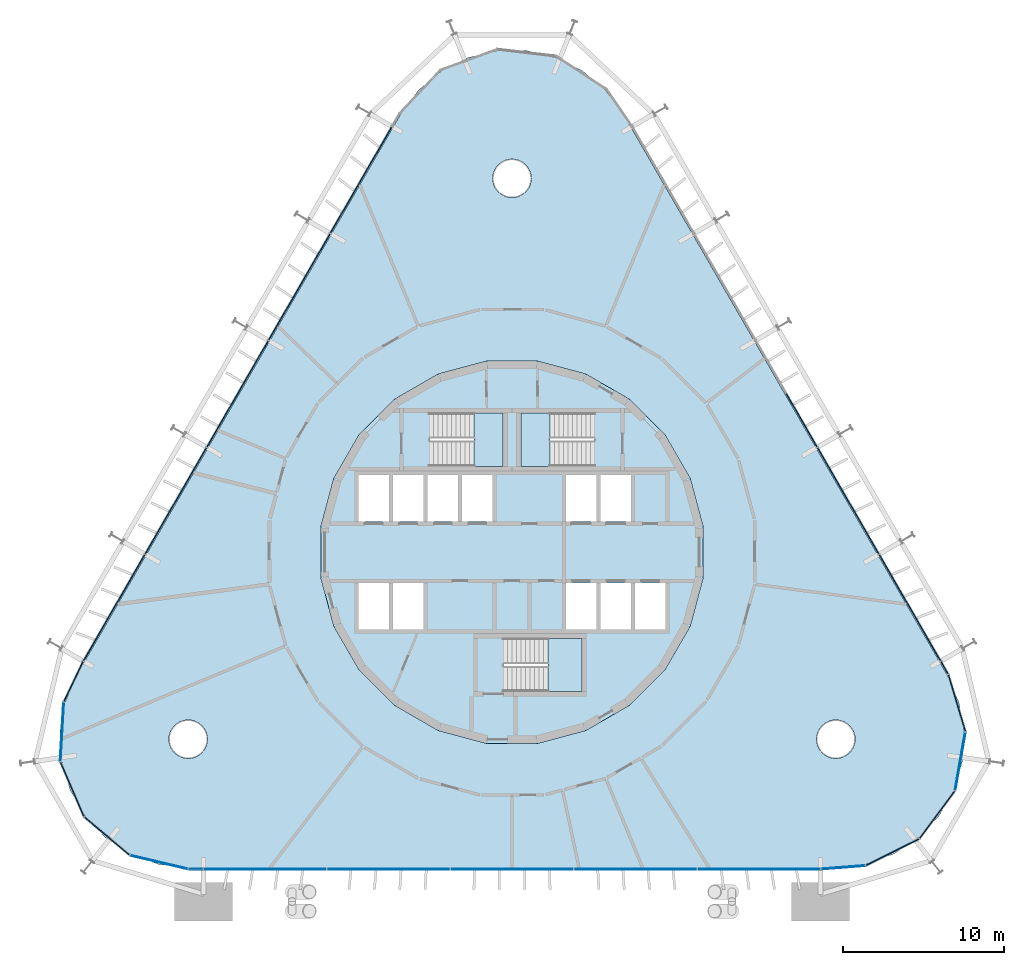
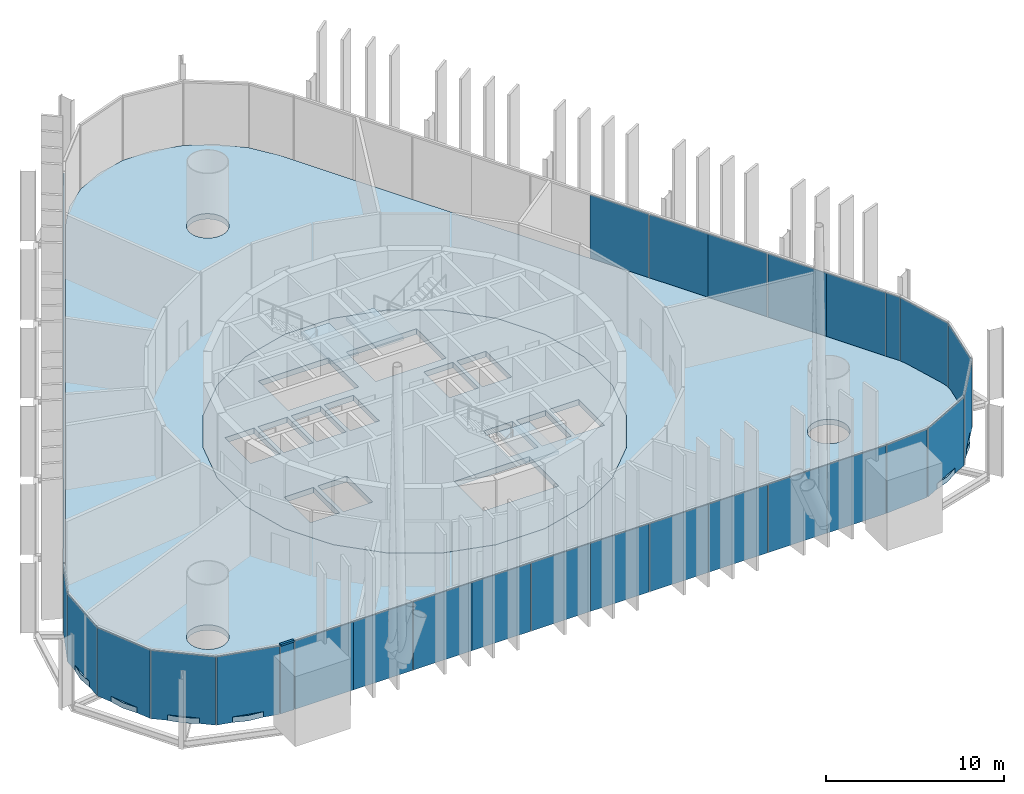
# One storey, part 13 of 18: 37 plates, 5 slabs, 1 member, 8 elements without a shape of their own.
"""IFC4 building model written with IfcOpenShell, lengths in metres."""

from ifc_helpers import new_model, si_unit, direction, frame, origin, origin_2d, place, context, subcontext, project, spatial, polyline, rectangle, outline, extrude, material, layer, layer_set, material_profile, profile_set, type_object, element, aggregate, save


model = new_model("IFC4")

# Units and contexts
model_context = context("Model", 3, precision=1e-05, world=origin(), true_north=direction((0.0, 1.0)))
body_context = subcontext(model_context, "Body", "Model", "MODEL_VIEW")
ifc_project = project(units=[si_unit("LENGTHUNIT", "METRE"), si_unit("AREAUNIT", "SQUARE_METRE"), si_unit("VOLUMEUNIT", "CUBIC_METRE"), si_unit("PLANEANGLEUNIT", "RADIAN"), si_unit("MASSUNIT", "GRAM", prefix="KILO")], contexts=[model_context])

# Site, building, storey
site_placement = place(None, origin())
site = spatial("IfcSite", under=ifc_project, at=site_placement, CompositionType="ELEMENT")
building_placement = place(site_placement, origin())
building = spatial("IfcBuilding", under=site, at=building_placement, Name="Spindle Arch Residences", CompositionType="ELEMENT")
storey_placement = place(building_placement, frame((0.0, 0.0, 9.0)))
storey = spatial("IfcBuildingStorey", under=building, at=storey_placement, Name="L01", CompositionType="ELEMENT", Elevation=9.0)

# Curtain wall, member
ifc_material_1 = material(Name="Aluminium bronze unitised frame with tinted glass", Category="aluminium")
ifc_layer_1 = layer(ifc_material_1, 0.159912109375)
ifc_layer_set_1 = layer_set([ifc_layer_1], Name="CW-D corner wall on the fillet arcs")
curtain_wall_type_1 = type_object("IfcCurtainWallType", Name="CW-D corner wall on the fillet arcs", PredefinedType="NOTDEFINED", material=ifc_layer_set_1)
curtain_wall_1_placement = place(storey_placement, origin())
curtain_wall_1 = element("IfcCurtainWall", 1, at=curtain_wall_1_placement, inside=storey, type_object=curtain_wall_type_1, Name="CW-D L01 run 5", PredefinedType="NOTDEFINED")
ifc_material_2 = material(Name="Aluminium bronze anodised transom", Category="aluminium")
ifc_material_profile = material_profile(ifc_material_2, rectangle(XDim=0.159912109375, YDim=0.1201171875, at=origin_2d()), Name="TR 120x160")
ifc_profile_set = profile_set([ifc_material_profile], Name="Aluminium bronze anodised transom")
member_type = type_object("IfcMemberType", Name="Bronze transom 120x160", PredefinedType="USERDEFINED", material=ifc_profile_set)
member_placement = place(storey_placement, frame((-20.113525390625, -19.7099609375, 4.360107421875), z_axis=(1.0, 0.0, 0.0), x_axis=(0.0, 1.0, 0.0)))
member = element("IfcMember", 2, at=member_placement, type_object=member_type, Name="CW-D transom 05", ObjectType="TRANSOM", PredefinedType="USERDEFINED", context=body_context, shape_type="SweptSolid", body=[
    extrude(rectangle(XDim=0.159912109375, YDim=0.1201171875, at=origin_2d()), origin(), (0.0, 0.0, 1.0), 0.88330078125),
])

# Slab
ifc_material_3 = material(Name="Concrete C50/60", Category="concrete")
ifc_layer_2 = layer(ifc_material_3, 0.3798828125)
ifc_layer_set_2 = layer_set([ifc_layer_2], Name="Core floor slab 380")
slab_type_1 = type_object("IfcSlabType", Name="Core floor slab 380", PredefinedType="FLOOR", material=ifc_layer_set_2)
slab_1_placement = place(storey_placement, frame((0.0, 0.0, -0.3798828125)))
element("IfcSlab", 3, at=slab_1_placement, inside=storey, type_object=slab_type_1, Name="Core floor L01", PredefinedType="FLOOR", context=body_context, shape_type="SweptSolid", body=[
    extrude(outline(polyline([(1.56640625, -11.897216796875), (4.59228515625, -11.086669921875), (7.30517578125, -9.520263671875), (9.520263671875, -7.30517578125), (11.086669921875, -4.59228515625), (11.897216796875, -1.56640625), (11.897216796875, 1.56640625), (11.086669921875, 4.59228515625), (9.520263671875, 7.30517578125), (7.30517578125, 9.520263671875), (4.59228515625, 11.086669921875), (1.56640625, 11.897216796875), (-1.56640625, 11.897216796875), (-4.59228515625, 11.086669921875), (-7.30517578125, 9.520263671875), (-9.520263671875, 7.30517578125), (-11.086669921875, 4.59228515625), (-11.897216796875, 1.56640625), (-11.897216796875, -1.56640625), (-11.086669921875, -4.59228515625), (-9.520263671875, -7.30517578125), (-7.30517578125, -9.520263671875), (-4.59228515625, -11.086669921875), (-1.56640625, -11.897216796875), (1.56640625, -11.897216796875)]), holes=[polyline([(-9.550048828125, 1.89990234375), (-7.64990234375, 1.89990234375), (-7.64990234375, 4.800048828125), (-9.550048828125, 4.800048828125), (-9.550048828125, 1.89990234375)]), polyline([(-7.39990234375, 1.89990234375), (-5.5, 1.89990234375), (-5.5, 4.800048828125), (-7.39990234375, 4.800048828125), (-7.39990234375, 1.89990234375)]), polyline([(-5.25, 1.89990234375), (-3.35009765625, 1.89990234375), (-3.35009765625, 4.800048828125), (-5.25, 4.800048828125), (-5.25, 1.89990234375)]), polyline([(-3.10009765625, 1.89990234375), (-1.199951171875, 1.89990234375), (-1.199951171875, 4.800048828125), (-3.10009765625, 4.800048828125), (-3.10009765625, 1.89990234375)]), polyline([(3.35009765625, 1.89990234375), (5.25, 1.89990234375), (5.25, 4.800048828125), (3.35009765625, 4.800048828125), (3.35009765625, 1.89990234375)]), polyline([(5.5, 1.89990234375), (7.39990234375, 1.89990234375), (7.39990234375, 4.800048828125), (5.5, 4.800048828125), (5.5, 1.89990234375)]), polyline([(-9.550048828125, -4.800048828125), (-7.64990234375, -4.800048828125), (-7.64990234375, -1.89990234375), (-9.550048828125, -1.89990234375), (-9.550048828125, -4.800048828125)]), polyline([(-7.39990234375, -4.800048828125), (-5.5, -4.800048828125), (-5.5, -1.89990234375), (-7.39990234375, -1.89990234375), (-7.39990234375, -4.800048828125)]), polyline([(3.35009765625, -4.800048828125), (5.25, -4.800048828125), (5.25, -1.89990234375), (3.35009765625, -1.89990234375), (3.35009765625, -4.800048828125)]), polyline([(5.5, -4.800048828125), (7.39990234375, -4.800048828125), (7.39990234375, -1.89990234375), (5.5, -1.89990234375), (5.5, -4.800048828125)]), polyline([(7.64990234375, -4.800048828125), (9.550048828125, -4.800048828125), (9.550048828125, -1.89990234375), (7.64990234375, -1.89990234375), (7.64990234375, -4.800048828125)]), polyline([(5.1298828125, 8.669921875), (0.550048828125, 8.669921875), (0.550048828125, 5.35009765625), (5.1298828125, 5.35009765625), (5.1298828125, 8.669921875)]), polyline([(-5.1298828125, 5.35009765625), (-0.550048828125, 5.35009765625), (-0.550048828125, 8.669921875), (-5.1298828125, 8.669921875), (-5.1298828125, 5.35009765625)]), polyline([(-0.530029296875, -8.669921875), (4.35009765625, -8.669921875), (4.35009765625, -5.35009765625), (-0.530029296875, -5.35009765625), (-0.530029296875, -8.669921875)])]), origin(), (0.0, 0.0, 1.0), 0.3798828125),
])

# Stair, slab
ifc_material_4 = material(Name="Concrete C50/60", Category="concrete")
stair_type = type_object("IfcStairType", Name="Exit stair 22 risers", PredefinedType="HALF_TURN_STAIR", material=ifc_material_4)
stair_1_placement = place(storey_placement, origin())
stair_1 = element("IfcStair", 4, at=stair_1_placement, inside=storey, type_object=stair_type, Name="L01 Exit stair ST1", PredefinedType="HALF_TURN_STAIR")
ifc_material_5 = material(Name="Concrete C50/60", Category="concrete")
ifc_layer_3 = layer(ifc_material_5, 0.219970703125)
ifc_layer_set_3 = layer_set([ifc_layer_3], Name="Exit stair landing 220")
slab_type_2 = type_object("IfcSlabType", Name="Exit stair landing 220", PredefinedType="LANDING", material=ifc_layer_set_3)
slab_2_placement = place(storey_placement, frame((0.0, 0.0, 2.179931640625)))
slab_2 = element("IfcSlab", 5, at=slab_2_placement, type_object=slab_type_2, Name="ST1 landing 1", PredefinedType="LANDING", context=body_context, shape_type="SweptSolid", body=[
    extrude(outline(polyline([(2.3701171875, 8.669921875), (0.550048828125, 8.669921875), (0.550048828125, 5.35009765625), (2.3701171875, 5.35009765625), (2.3701171875, 8.669921875)])), origin(), (0.0, 0.0, 1.0), 0.219970703125),
])
aggregate(stair_1, [slab_2])

stair_2_placement = place(storey_placement, origin())
stair_2 = element("IfcStair", 6, at=stair_2_placement, inside=storey, type_object=stair_type, Name="L01 Exit stair ST2", PredefinedType="HALF_TURN_STAIR")
slab_3_placement = place(storey_placement, frame((0.0, 0.0, 2.179931640625)))
slab_3 = element("IfcSlab", 7, at=slab_3_placement, type_object=slab_type_2, Name="ST2 landing 1", PredefinedType="LANDING", context=body_context, shape_type="SweptSolid", body=[
    extrude(outline(polyline([(-2.3701171875, 5.35009765625), (-0.550048828125, 5.35009765625), (-0.550048828125, 8.669921875), (-2.3701171875, 8.669921875), (-2.3701171875, 5.35009765625)])), origin(), (0.0, 0.0, 1.0), 0.219970703125),
])
aggregate(stair_2, [slab_3])

stair_3_placement = place(storey_placement, origin())
stair_3 = element("IfcStair", 8, at=stair_3_placement, inside=storey, type_object=stair_type, Name="L01 Exit stair ST3", PredefinedType="HALF_TURN_STAIR")
slab_4_placement = place(storey_placement, frame((0.0, 0.0, 2.179931640625)))
slab_4 = element("IfcSlab", 9, at=slab_4_placement, type_object=slab_type_2, Name="ST3 landing 1", PredefinedType="LANDING", context=body_context, shape_type="SweptSolid", body=[
    extrude(outline(polyline([(2.22998046875, -8.669921875), (4.35009765625, -8.669921875), (4.35009765625, -5.35009765625), (2.22998046875, -5.35009765625), (2.22998046875, -8.669921875)])), origin(), (0.0, 0.0, 1.0), 0.219970703125),
])
aggregate(stair_3, [slab_4])

# Slab
ifc_material_6 = material(Name="Concrete C40/50", Category="concrete")
ifc_layer_4 = layer(ifc_material_6, 0.3798828125)
ifc_layer_set_4 = layer_set([ifc_layer_4], Name="Floor slab 380")
slab_type_3 = type_object("IfcSlabType", Name="Floor slab 380", PredefinedType="FLOOR", material=ifc_layer_set_4)
slab_5_placement = place(storey_placement, frame((0.0, 0.0, -0.3798828125)))
element("IfcSlab", 10, at=slab_5_placement, inside=storey, type_object=slab_type_3, Name="Floor slab L01", PredefinedType="FLOOR", context=body_context, shape_type="SweptSolid", body=[
    extrude(outline(polyline([(-21.988525390625, -19.414306640625), (-23.73388671875, -18.779052734375), (-25.285888671875, -17.75830078125), (-26.560546875, -16.4072265625), (-27.4892578125, -14.798583984375), (-28.022216796875, -13.01904296875), (-28.130126953125, -11.164794921875), (-27.8076171875, -9.33544921875), (-27.07177734375, -7.6298828125), (-6.92822265625, 27.259765625), (-5.819091796875, 28.749755859375), (-4.39599609375, 29.943603515625), (-2.736083984375, 30.77734375), (-0.9287109375, 31.205810546875), (0.9287109375, 31.205810546875), (2.736083984375, 30.77734375), (4.39599609375, 29.943603515625), (5.819091796875, 28.749755859375), (6.92822265625, 27.259765625), (27.07177734375, -7.6298828125), (27.8076171875, -9.33544921875), (28.130126953125, -11.164794921875), (28.022216796875, -13.01904296875), (27.4892578125, -14.798583984375), (26.560546875, -16.4072265625), (25.285888671875, -17.75830078125), (23.73388671875, -18.779052734375), (21.988525390625, -19.414306640625), (20.1435546875, -19.6298828125), (0.0, -19.6298828125), (-20.1435546875, -19.6298828125), (-21.988525390625, -19.414306640625)]), holes=[polyline([(7.30517578125, -9.520263671875), (9.520263671875, -7.30517578125), (11.086669921875, -4.59228515625), (11.897216796875, -1.56640625), (11.897216796875, 1.56640625), (11.086669921875, 4.59228515625), (9.520263671875, 7.30517578125), (7.30517578125, 9.520263671875), (4.59228515625, 11.086669921875), (1.56640625, 11.897216796875), (-1.56640625, 11.897216796875), (-4.59228515625, 11.086669921875), (-7.30517578125, 9.520263671875), (-9.520263671875, 7.30517578125), (-11.086669921875, 4.59228515625), (-11.897216796875, 1.56640625), (-11.897216796875, -1.56640625), (-11.086669921875, -4.59228515625), (-9.520263671875, -7.30517578125), (-7.30517578125, -9.520263671875), (-4.59228515625, -11.086669921875), (-1.56640625, -11.897216796875), (1.56640625, -11.897216796875), (4.59228515625, -11.086669921875), (7.30517578125, -9.520263671875)]), polyline([(-19.295166015625, -12.478515625), (-19.145751953125, -12.296630859375), (-19.034912109375, -12.089111328125), (-18.966796875, -11.864013671875), (-18.943603515625, -11.6298828125), (-18.966796875, -11.395751953125), (-19.034912109375, -11.170654296875), (-19.145751953125, -10.963134765625), (-19.295166015625, -10.781494140625), (-19.476806640625, -10.632080078125), (-19.684326171875, -10.521240234375), (-19.909423828125, -10.452880859375), (-20.1435546875, -10.429931640625), (-20.377685546875, -10.452880859375), (-20.602783203125, -10.521240234375), (-20.810302734375, -10.632080078125), (-20.9921875, -10.781494140625), (-21.141357421875, -10.963134765625), (-21.252197265625, -11.170654296875), (-21.320556640625, -11.395751953125), (-21.343505859375, -11.6298828125), (-21.320556640625, -11.864013671875), (-21.252197265625, -12.089111328125), (-21.141357421875, -12.296630859375), (-20.9921875, -12.478515625), (-20.810302734375, -12.627685546875), (-20.602783203125, -12.738525390625), (-20.377685546875, -12.806884765625), (-20.1435546875, -12.829833984375), (-19.909423828125, -12.806884765625), (-19.684326171875, -12.738525390625), (-19.476806640625, -12.627685546875), (-19.295166015625, -12.478515625)]), polyline([(0.848388671875, 22.411376953125), (0.997802734375, 22.593017578125), (1.108642578125, 22.800537109375), (1.177001953125, 23.025634765625), (1.199951171875, 23.259765625), (1.177001953125, 23.493896484375), (1.108642578125, 23.718994140625), (0.997802734375, 23.926513671875), (0.848388671875, 24.1083984375), (0.666748046875, 24.257568359375), (0.459228515625, 24.368408203125), (0.234130859375, 24.436767578125), (0.0, 24.459716796875), (-0.234130859375, 24.436767578125), (-0.459228515625, 24.368408203125), (-0.666748046875, 24.257568359375), (-0.848388671875, 24.1083984375), (-0.997802734375, 23.926513671875), (-1.108642578125, 23.718994140625), (-1.177001953125, 23.493896484375), (-1.199951171875, 23.259765625), (-1.177001953125, 23.025634765625), (-1.108642578125, 22.800537109375), (-0.997802734375, 22.593017578125), (-0.848388671875, 22.411376953125), (-0.666748046875, 22.261962890625), (-0.459228515625, 22.151123046875), (-0.234130859375, 22.0830078125), (0.0, 22.059814453125), (0.234130859375, 22.0830078125), (0.459228515625, 22.151123046875), (0.666748046875, 22.261962890625), (0.848388671875, 22.411376953125)]), polyline([(20.9921875, -12.478515625), (21.141357421875, -12.296630859375), (21.252197265625, -12.089111328125), (21.320556640625, -11.864013671875), (21.343505859375, -11.6298828125), (21.320556640625, -11.395751953125), (21.252197265625, -11.170654296875), (21.141357421875, -10.963134765625), (20.9921875, -10.781494140625), (20.810302734375, -10.632080078125), (20.602783203125, -10.521240234375), (20.377685546875, -10.452880859375), (20.1435546875, -10.429931640625), (19.909423828125, -10.452880859375), (19.684326171875, -10.521240234375), (19.476806640625, -10.632080078125), (19.295166015625, -10.781494140625), (19.145751953125, -10.963134765625), (19.034912109375, -11.170654296875), (18.966796875, -11.395751953125), (18.943603515625, -11.6298828125), (18.966796875, -11.864013671875), (19.034912109375, -12.089111328125), (19.145751953125, -12.296630859375), (19.295166015625, -12.478515625), (19.476806640625, -12.627685546875), (19.684326171875, -12.738525390625), (19.909423828125, -12.806884765625), (20.1435546875, -12.829833984375), (20.377685546875, -12.806884765625), (20.602783203125, -12.738525390625), (20.810302734375, -12.627685546875), (20.9921875, -12.478515625)])]), origin(), (0.0, 0.0, 1.0), 0.3798828125),
])

# Curtain wall, plates
curtain_wall_2_placement = place(storey_placement, origin())
curtain_wall_2 = element("IfcCurtainWall", 11, at=curtain_wall_2_placement, inside=storey, type_object=curtain_wall_type_1, Name="CW-D L01 run 1", PredefinedType="NOTDEFINED")
ifc_material_7 = material(Name="Tinted double glazing over aluminium faced non-combustible spandrel zone (K0)", Category="aluminium")
ifc_layer_5 = layer(ifc_material_7, 0.06005859375)
ifc_layer_set_5 = layer_set([ifc_layer_5], Name="Unitised glass panel with E 60 spandrel zone")
plate_type = type_object("IfcPlateType", Name="Unitised glass panel with E 60 spandrel zone", PredefinedType="CURTAIN_PANEL", material=ifc_layer_set_5)
plate_1_placement = place(storey_placement, frame((20.603515625, -19.60107421875, -0.3798828125), z_axis=(0.0, 0.0, 1.0), x_axis=(0.997002907861, 0.077364085451, 0.0)))
plate_1 = element("IfcPlate", 12, at=plate_1_placement, type_object=plate_type, Name="CW-D unit 00", PredefinedType="CURTAIN_PANEL", context=body_context, shape_type="SweptSolid", body=[
    extrude(rectangle(XDim=2.755126953125, YDim=0.06005859375, at=origin_2d()), origin(), (0.0, 0.0, 1.0), 4.679931640625),
])
plate_2_placement = place(storey_placement, frame((23.672119140625, -18.65576171875, -0.3798828125), z_axis=(0.0, 0.0, 1.0), x_axis=(0.893632642326, 0.448799176213, 0.0)))
plate_2 = element("IfcPlate", 13, at=plate_2_placement, type_object=plate_type, Name="CW-D unit 01", PredefinedType="CURTAIN_PANEL", context=body_context, shape_type="SweptSolid", body=[
    extrude(rectangle(XDim=3.666748046875, YDim=0.06005859375, at=origin_2d()), origin(), (0.0, 0.0, 1.0), 4.679931640625),
])
plate_3_placement = place(storey_placement, frame((26.449951171875, -16.324951171875, -0.3798828125), z_axis=(0.0, 0.0, 1.0), x_axis=(0.597158595823, 0.802123189687, 0.0)))
plate_3 = element("IfcPlate", 14, at=plate_3_placement, type_object=plate_type, Name="CW-D unit 02", PredefinedType="CURTAIN_PANEL", context=body_context, shape_type="SweptSolid", body=[
    extrude(rectangle(XDim=3.666748046875, YDim=0.06005859375, at=origin_2d()), origin(), (0.0, 0.0, 1.0), 4.679931640625),
])
plate_4_placement = place(storey_placement, frame((27.88623046875, -12.9951171875, -0.3798828125), z_axis=(0.0, 0.0, 1.0), x_axis=(0.173648181019, 0.984807752421, 0.0)))
plate_4 = element("IfcPlate", 15, at=plate_4_placement, type_object=plate_type, Name="CW-D unit 03", PredefinedType="CURTAIN_PANEL", context=body_context, shape_type="SweptSolid", body=[
    extrude(rectangle(XDim=3.666748046875, YDim=0.06005859375, at=origin_2d()), origin(), (0.0, 0.0, 1.0), 4.679931640625),
])
plate_5_placement = place(storey_placement, frame((27.675537109375, -9.375, -0.3798828125), z_axis=(0.0, 0.0, 1.0), x_axis=(-0.28680323051, 0.957989512975, 0.0)))
plate_5 = element("IfcPlate", 16, at=plate_5_placement, type_object=plate_type, Name="CW-D unit 04", PredefinedType="CURTAIN_PANEL", context=body_context, shape_type="SweptSolid", body=[
    extrude(rectangle(XDim=3.666748046875, YDim=0.06005859375, at=origin_2d()), origin(), (0.0, 0.0, 1.0), 4.679931640625),
])
plate_6_placement = place(storey_placement, frame((26.9052734375, -7.181396484375, -0.3798828125), z_axis=(0.0, 0.0, 1.0), x_axis=(-0.5, 0.866025403784, 0.0)))
plate_6 = element("IfcPlate", 17, at=plate_6_placement, type_object=plate_type, Name="CW-D unit 05", PredefinedType="CURTAIN_PANEL", context=body_context, shape_type="SweptSolid", body=[
    extrude(rectangle(XDim=0.88330078125, YDim=0.06005859375, at=origin_2d()), origin(), (0.0, 0.0, 1.0), 4.679931640625),
])
aggregate(curtain_wall_2, [plate_1, plate_2, plate_3, plate_4, plate_5, plate_6])

ifc_material_8 = material(Name="Aluminium bronze unitised frame with tinted glass", Category="aluminium")
ifc_layer_6 = layer(ifc_material_8, 0.159912109375)
ifc_layer_set_6 = layer_set([ifc_layer_6], Name="CW-B amenity podium glazed wall")
curtain_wall_type_2 = type_object("IfcCurtainWallType", Name="CW-B amenity podium glazed wall", PredefinedType="NOTDEFINED", material=ifc_layer_set_6)
curtain_wall_3_placement = place(storey_placement, origin())
curtain_wall_3 = element("IfcCurtainWall", 18, at=curtain_wall_3_placement, inside=storey, type_object=curtain_wall_type_2, Name="CW-B L01 run 2", PredefinedType="NOTDEFINED")
plate_7_placement = place(storey_placement, frame((25.701904296875, -5.09716796875, -0.3798828125), z_axis=(0.0, 0.0, 1.0), x_axis=(-0.5, 0.866025403784, 0.0)))
plate_7 = element("IfcPlate", 19, at=plate_7_placement, type_object=plate_type, Name="CW-B unit 05A", PredefinedType="CURTAIN_PANEL", context=body_context, shape_type="SweptSolid", body=[
    extrude(rectangle(XDim=3.81005859375, YDim=0.06005859375, at=origin_2d()), origin(), (0.0, 0.0, 1.0), 4.679931640625),
])
plate_8_placement = place(storey_placement, frame((23.796875, -1.797607421875, -0.3798828125), z_axis=(0.0, 0.0, 1.0), x_axis=(-0.5, 0.866025403784, 0.0)))
plate_8 = element("IfcPlate", 20, at=plate_8_placement, type_object=plate_type, Name="CW-B unit 05B", PredefinedType="CURTAIN_PANEL", context=body_context, shape_type="SweptSolid", body=[
    extrude(rectangle(XDim=3.81005859375, YDim=0.06005859375, at=origin_2d()), origin(), (0.0, 0.0, 1.0), 4.679931640625),
])
plate_9_placement = place(storey_placement, frame((21.86181640625, 1.553955078125, -0.3798828125), z_axis=(0.0, 0.0, 1.0), x_axis=(-0.5, 0.866025403784, 0.0)))
plate_9 = element("IfcPlate", 21, at=plate_9_placement, type_object=plate_type, Name="CW-B unit 06A", PredefinedType="CURTAIN_PANEL", context=body_context, shape_type="SweptSolid", body=[
    extrude(rectangle(XDim=3.81005859375, YDim=0.06005859375, at=origin_2d()), origin(), (0.0, 0.0, 1.0), 4.679931640625),
])
plate_10_placement = place(storey_placement, frame((19.956787109375, 4.853515625, -0.3798828125), z_axis=(0.0, 0.0, 1.0), x_axis=(-0.5, 0.866025403784, 0.0)))
plate_10 = element("IfcPlate", 22, at=plate_10_placement, type_object=plate_type, Name="CW-B unit 06B", PredefinedType="CURTAIN_PANEL", context=body_context, shape_type="SweptSolid", body=[
    extrude(rectangle(XDim=3.81005859375, YDim=0.06005859375, at=origin_2d()), origin(), (0.0, 0.0, 1.0), 4.679931640625),
])
plate_11_placement = place(storey_placement, frame((18.021728515625, 8.205078125, -0.3798828125), z_axis=(0.0, 0.0, 1.0), x_axis=(-0.5, 0.866025403784, 0.0)))
plate_11 = element("IfcPlate", 23, at=plate_11_placement, type_object=plate_type, Name="CW-B unit 07A", PredefinedType="CURTAIN_PANEL", context=body_context, shape_type="SweptSolid", body=[
    extrude(rectangle(XDim=3.81005859375, YDim=0.06005859375, at=origin_2d()), origin(), (0.0, 0.0, 1.0), 4.679931640625),
])
aggregate(curtain_wall_3, [plate_7, plate_8, plate_9, plate_10, plate_11])

curtain_wall_4_placement = place(storey_placement, origin())
curtain_wall_4 = element("IfcCurtainWall", 24, at=curtain_wall_4_placement, inside=storey, type_object=curtain_wall_type_2, Name="CW-B L01 run 4", PredefinedType="NOTDEFINED")
plate_12_placement = place(storey_placement, frame((-8.436767578125, 24.80712890625, -0.3798828125), z_axis=(0.0, 0.0, 1.0), x_axis=(-0.5, -0.866025403784, 0.0)))
plate_12 = element("IfcPlate", 25, at=plate_12_placement, type_object=plate_type, Name="CW-B unit 13A", PredefinedType="CURTAIN_PANEL", context=body_context, shape_type="SweptSolid", body=[
    extrude(rectangle(XDim=3.81005859375, YDim=0.06005859375, at=origin_2d()), origin(), (0.0, 0.0, 1.0), 4.679931640625),
])
plate_13_placement = place(storey_placement, frame((-10.341796875, 21.50732421875, -0.3798828125), z_axis=(0.0, 0.0, 1.0), x_axis=(-0.5, -0.866025403784, 0.0)))
plate_13 = element("IfcPlate", 26, at=plate_13_placement, type_object=plate_type, Name="CW-B unit 13B", PredefinedType="CURTAIN_PANEL", context=body_context, shape_type="SweptSolid", body=[
    extrude(rectangle(XDim=3.81005859375, YDim=0.06005859375, at=origin_2d()), origin(), (0.0, 0.0, 1.0), 4.679931640625),
])
plate_14_placement = place(storey_placement, frame((-12.27685546875, 18.156005859375, -0.3798828125), z_axis=(0.0, 0.0, 1.0), x_axis=(-0.5, -0.866025403784, 0.0)))
plate_14 = element("IfcPlate", 27, at=plate_14_placement, type_object=plate_type, Name="CW-B unit 14A", PredefinedType="CURTAIN_PANEL", context=body_context, shape_type="SweptSolid", body=[
    extrude(rectangle(XDim=3.81005859375, YDim=0.06005859375, at=origin_2d()), origin(), (0.0, 0.0, 1.0), 4.679931640625),
])
plate_15_placement = place(storey_placement, frame((-14.181640625, 14.856201171875, -0.3798828125), z_axis=(0.0, 0.0, 1.0), x_axis=(-0.5, -0.866025403784, 0.0)))
plate_15 = element("IfcPlate", 28, at=plate_15_placement, type_object=plate_type, Name="CW-B unit 14B", PredefinedType="CURTAIN_PANEL", context=body_context, shape_type="SweptSolid", body=[
    extrude(rectangle(XDim=3.81005859375, YDim=0.06005859375, at=origin_2d()), origin(), (0.0, 0.0, 1.0), 4.679931640625),
])
plate_16_placement = place(storey_placement, frame((-16.11669921875, 11.504638671875, -0.3798828125), z_axis=(0.0, 0.0, 1.0), x_axis=(-0.5, -0.866025403784, 0.0)))
plate_16 = element("IfcPlate", 29, at=plate_16_placement, type_object=plate_type, Name="CW-B unit 15A", PredefinedType="CURTAIN_PANEL", context=body_context, shape_type="SweptSolid", body=[
    extrude(rectangle(XDim=3.81005859375, YDim=0.06005859375, at=origin_2d()), origin(), (0.0, 0.0, 1.0), 4.679931640625),
])
plate_17_placement = place(storey_placement, frame((-18.021728515625, 8.205078125, -0.3798828125), z_axis=(0.0, 0.0, 1.0), x_axis=(-0.5, -0.866025403784, 0.0)))
plate_17 = element("IfcPlate", 30, at=plate_17_placement, type_object=plate_type, Name="CW-B unit 15B", PredefinedType="CURTAIN_PANEL", context=body_context, shape_type="SweptSolid", body=[
    extrude(rectangle(XDim=3.81005859375, YDim=0.06005859375, at=origin_2d()), origin(), (0.0, 0.0, 1.0), 4.679931640625),
])
plate_18_placement = place(storey_placement, frame((-19.956787109375, 4.853515625, -0.3798828125), z_axis=(0.0, 0.0, 1.0), x_axis=(-0.5, -0.866025403784, 0.0)))
plate_18 = element("IfcPlate", 31, at=plate_18_placement, type_object=plate_type, Name="CW-B unit 16A", PredefinedType="CURTAIN_PANEL", context=body_context, shape_type="SweptSolid", body=[
    extrude(rectangle(XDim=3.81005859375, YDim=0.06005859375, at=origin_2d()), origin(), (0.0, 0.0, 1.0), 4.679931640625),
])
plate_19_placement = place(storey_placement, frame((-21.86181640625, 1.553955078125, -0.3798828125), z_axis=(0.0, 0.0, 1.0), x_axis=(-0.5, -0.866025403784, 0.0)))
plate_19 = element("IfcPlate", 32, at=plate_19_placement, type_object=plate_type, Name="CW-B unit 16B", PredefinedType="CURTAIN_PANEL", context=body_context, shape_type="SweptSolid", body=[
    extrude(rectangle(XDim=3.81005859375, YDim=0.06005859375, at=origin_2d()), origin(), (0.0, 0.0, 1.0), 4.679931640625),
])
plate_20_placement = place(storey_placement, frame((-23.796875, -1.797607421875, -0.3798828125), z_axis=(0.0, 0.0, 1.0), x_axis=(-0.5, -0.866025403784, 0.0)))
plate_20 = element("IfcPlate", 33, at=plate_20_placement, type_object=plate_type, Name="CW-B unit 17A", PredefinedType="CURTAIN_PANEL", context=body_context, shape_type="SweptSolid", body=[
    extrude(rectangle(XDim=3.81005859375, YDim=0.06005859375, at=origin_2d()), origin(), (0.0, 0.0, 1.0), 4.679931640625),
])
plate_21_placement = place(storey_placement, frame((-25.701904296875, -5.09716796875, -0.3798828125), z_axis=(0.0, 0.0, 1.0), x_axis=(-0.5, -0.866025403784, 0.0)))
plate_21 = element("IfcPlate", 34, at=plate_21_placement, type_object=plate_type, Name="CW-B unit 17B", PredefinedType="CURTAIN_PANEL", context=body_context, shape_type="SweptSolid", body=[
    extrude(rectangle(XDim=3.81005859375, YDim=0.06005859375, at=origin_2d()), origin(), (0.0, 0.0, 1.0), 4.679931640625),
])
aggregate(curtain_wall_4, [plate_12, plate_13, plate_14, plate_15, plate_16, plate_17, plate_18, plate_19, plate_20, plate_21])

# Plate
plate_22_placement = place(storey_placement, frame((-27.27685546875, -8.042724609375, -0.3798828125), z_axis=(0.0, 0.0, 1.0), x_axis=(-0.431502189519, -0.902111889092, 0.0)))
plate_22 = element("IfcPlate", 35, at=plate_22_placement, type_object=plate_type, Name="CW-D unit 00", PredefinedType="CURTAIN_PANEL", context=body_context, shape_type="SweptSolid", body=[
    extrude(rectangle(XDim=2.755126953125, YDim=0.06005859375, at=origin_2d()), origin(), (0.0, 0.0, 1.0), 4.679931640625),
])

plate_23_placement = place(storey_placement, frame((-27.992431640625, -11.1728515625, -0.3798828125), z_axis=(0.0, 0.0, 1.0), x_axis=(-0.058144829968, -0.99830815821, 0.0)))
plate_23 = element("IfcPlate", 36, at=plate_23_placement, type_object=plate_type, Name="CW-D unit 01", PredefinedType="CURTAIN_PANEL", context=body_context, shape_type="SweptSolid", body=[
    extrude(rectangle(XDim=3.666748046875, YDim=0.06005859375, at=origin_2d()), origin(), (0.0, 0.0, 1.0), 4.679931640625),
])

plate_24_placement = place(storey_placement, frame((-27.36279296875, -14.743896484375, -0.3798828125), z_axis=(0.0, 0.0, 1.0), x_axis=(0.396079766691, -0.918216106599, 0.0)))
plate_24 = element("IfcPlate", 37, at=plate_24_placement, type_object=plate_type, Name="CW-D unit 02", PredefinedType="CURTAIN_PANEL", context=body_context, shape_type="SweptSolid", body=[
    extrude(rectangle(XDim=3.666748046875, YDim=0.06005859375, at=origin_2d()), origin(), (0.0, 0.0, 1.0), 4.679931640625),
])

plate_25_placement = place(storey_placement, frame((-25.197265625, -17.652587890625, -0.3798828125), z_axis=(0.0, 0.0, 1.0), x_axis=(0.766044445239, -0.64278760716, 0.0)))
plate_25 = element("IfcPlate", 38, at=plate_25_placement, type_object=plate_type, Name="CW-D unit 03", PredefinedType="CURTAIN_PANEL", context=body_context, shape_type="SweptSolid", body=[
    extrude(rectangle(XDim=3.666748046875, YDim=0.06005859375, at=origin_2d()), origin(), (0.0, 0.0, 1.0), 4.679931640625),
])

plate_26_placement = place(storey_placement, frame((-21.956787109375, -19.2802734375, -0.3798828125), z_axis=(0.0, 0.0, 1.0), x_axis=(0.973044871028, -0.230615868852, 0.0)))
plate_26 = element("IfcPlate", 39, at=plate_26_placement, type_object=plate_type, Name="CW-D unit 04", PredefinedType="CURTAIN_PANEL", context=body_context, shape_type="SweptSolid", body=[
    extrude(rectangle(XDim=3.666748046875, YDim=0.06005859375, at=origin_2d()), origin(), (0.0, 0.0, 1.0), 4.679931640625),
])

plate_27_placement = place(storey_placement, frame((-19.671875, -19.7099609375, -0.3798828125), z_axis=(0.0, 0.0, 1.0), x_axis=(1.0, 0.0, 0.0)))
plate_27 = element("IfcPlate", 40, at=plate_27_placement, type_object=plate_type, Name="CW-D unit 05", PredefinedType="CURTAIN_PANEL", context=body_context, shape_type="SweptSolid", body=[
    extrude(rectangle(XDim=0.88330078125, YDim=0.06005859375, at=origin_2d()), origin(), (0.0, 0.0, 1.0), 4.679931640625),
])

aggregate(curtain_wall_1, [plate_22, plate_23, plate_24, plate_25, plate_26, member, plate_27])

# Curtain wall, plates
curtain_wall_5_placement = place(storey_placement, origin())
curtain_wall_5 = element("IfcCurtainWall", 41, at=curtain_wall_5_placement, inside=storey, type_object=curtain_wall_type_2, Name="CW-B L01 run 6", PredefinedType="NOTDEFINED")
plate_28_placement = place(storey_placement, frame((-17.26513671875, -19.7099609375, -0.3798828125), z_axis=(0.0, 0.0, 1.0), x_axis=(1.0, 0.0, 0.0)))
plate_28 = element("IfcPlate", 42, at=plate_28_placement, type_object=plate_type, Name="CW-B unit 21A", PredefinedType="CURTAIN_PANEL", context=body_context, shape_type="SweptSolid", body=[
    extrude(rectangle(XDim=3.81005859375, YDim=0.06005859375, at=origin_2d()), origin(), (0.0, 0.0, 1.0), 4.679931640625),
])
plate_29_placement = place(storey_placement, frame((-13.455078125, -19.7099609375, -0.3798828125), z_axis=(0.0, 0.0, 1.0), x_axis=(1.0, 0.0, 0.0)))
plate_29 = element("IfcPlate", 43, at=plate_29_placement, type_object=plate_type, Name="CW-B unit 21B", PredefinedType="CURTAIN_PANEL", context=body_context, shape_type="SweptSolid", body=[
    extrude(rectangle(XDim=3.81005859375, YDim=0.06005859375, at=origin_2d()), origin(), (0.0, 0.0, 1.0), 4.679931640625),
])
plate_30_placement = place(storey_placement, frame((-9.585205078125, -19.7099609375, -0.3798828125), z_axis=(0.0, 0.0, 1.0), x_axis=(1.0, 0.0, 0.0)))
plate_30 = element("IfcPlate", 44, at=plate_30_placement, type_object=plate_type, Name="CW-B unit 22A", PredefinedType="CURTAIN_PANEL", context=body_context, shape_type="SweptSolid", body=[
    extrude(rectangle(XDim=3.81005859375, YDim=0.06005859375, at=origin_2d()), origin(), (0.0, 0.0, 1.0), 4.679931640625),
])
plate_31_placement = place(storey_placement, frame((-5.775146484375, -19.7099609375, -0.3798828125), z_axis=(0.0, 0.0, 1.0), x_axis=(1.0, 0.0, 0.0)))
plate_31 = element("IfcPlate", 45, at=plate_31_placement, type_object=plate_type, Name="CW-B unit 22B", PredefinedType="CURTAIN_PANEL", context=body_context, shape_type="SweptSolid", body=[
    extrude(rectangle(XDim=3.81005859375, YDim=0.06005859375, at=origin_2d()), origin(), (0.0, 0.0, 1.0), 4.679931640625),
])
plate_32_placement = place(storey_placement, frame((-1.905029296875, -19.7099609375, -0.3798828125), z_axis=(0.0, 0.0, 1.0), x_axis=(1.0, 0.0, 0.0)))
plate_32 = element("IfcPlate", 46, at=plate_32_placement, type_object=plate_type, Name="CW-B unit 23A", PredefinedType="CURTAIN_PANEL", context=body_context, shape_type="SweptSolid", body=[
    extrude(rectangle(XDim=3.81005859375, YDim=0.06005859375, at=origin_2d()), origin(), (0.0, 0.0, 1.0), 4.679931640625),
])
plate_33_placement = place(storey_placement, frame((1.905029296875, -19.7099609375, -0.3798828125), z_axis=(0.0, 0.0, 1.0), x_axis=(1.0, 0.0, 0.0)))
plate_33 = element("IfcPlate", 47, at=plate_33_placement, type_object=plate_type, Name="CW-B unit 23B", PredefinedType="CURTAIN_PANEL", context=body_context, shape_type="SweptSolid", body=[
    extrude(rectangle(XDim=3.81005859375, YDim=0.06005859375, at=origin_2d()), origin(), (0.0, 0.0, 1.0), 4.679931640625),
])
plate_34_placement = place(storey_placement, frame((5.775146484375, -19.7099609375, -0.3798828125), z_axis=(0.0, 0.0, 1.0), x_axis=(1.0, 0.0, 0.0)))
plate_34 = element("IfcPlate", 48, at=plate_34_placement, type_object=plate_type, Name="CW-B unit 00A", PredefinedType="CURTAIN_PANEL", context=body_context, shape_type="SweptSolid", body=[
    extrude(rectangle(XDim=3.81005859375, YDim=0.06005859375, at=origin_2d()), origin(), (0.0, 0.0, 1.0), 4.679931640625),
])
plate_35_placement = place(storey_placement, frame((9.585205078125, -19.7099609375, -0.3798828125), z_axis=(0.0, 0.0, 1.0), x_axis=(1.0, 0.0, 0.0)))
plate_35 = element("IfcPlate", 49, at=plate_35_placement, type_object=plate_type, Name="CW-B unit 00B", PredefinedType="CURTAIN_PANEL", context=body_context, shape_type="SweptSolid", body=[
    extrude(rectangle(XDim=3.81005859375, YDim=0.06005859375, at=origin_2d()), origin(), (0.0, 0.0, 1.0), 4.679931640625),
])
plate_36_placement = place(storey_placement, frame((13.455078125, -19.7099609375, -0.3798828125), z_axis=(0.0, 0.0, 1.0), x_axis=(1.0, 0.0, 0.0)))
plate_36 = element("IfcPlate", 50, at=plate_36_placement, type_object=plate_type, Name="CW-B unit 01A", PredefinedType="CURTAIN_PANEL", context=body_context, shape_type="SweptSolid", body=[
    extrude(rectangle(XDim=3.81005859375, YDim=0.06005859375, at=origin_2d()), origin(), (0.0, 0.0, 1.0), 4.679931640625),
])
plate_37_placement = place(storey_placement, frame((17.26513671875, -19.7099609375, -0.3798828125), z_axis=(0.0, 0.0, 1.0), x_axis=(1.0, 0.0, 0.0)))
plate_37 = element("IfcPlate", 51, at=plate_37_placement, type_object=plate_type, Name="CW-B unit 01B", PredefinedType="CURTAIN_PANEL", context=body_context, shape_type="SweptSolid", body=[
    extrude(rectangle(XDim=3.81005859375, YDim=0.06005859375, at=origin_2d()), origin(), (0.0, 0.0, 1.0), 4.679931640625),
])
aggregate(curtain_wall_5, [plate_28, plate_29, plate_30, plate_31, plate_32, plate_33, plate_34, plate_35, plate_36, plate_37])

save(model, "model.ifc")
